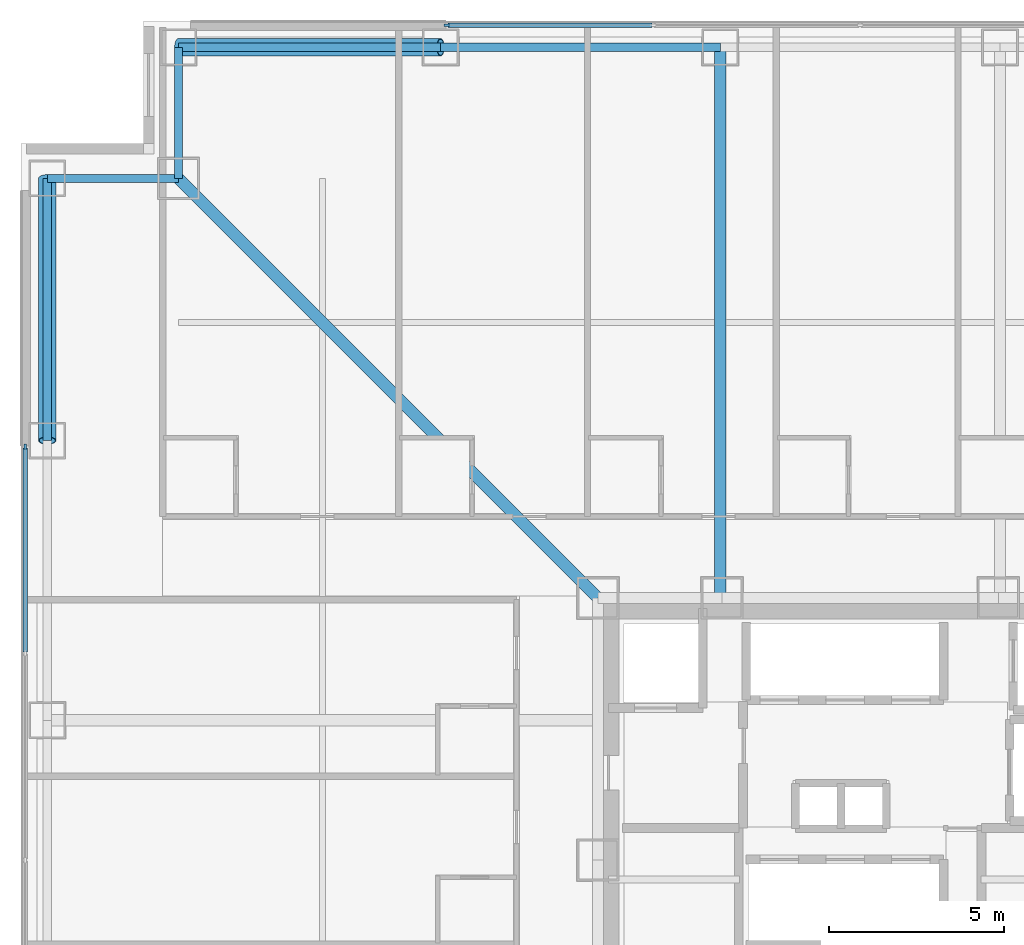
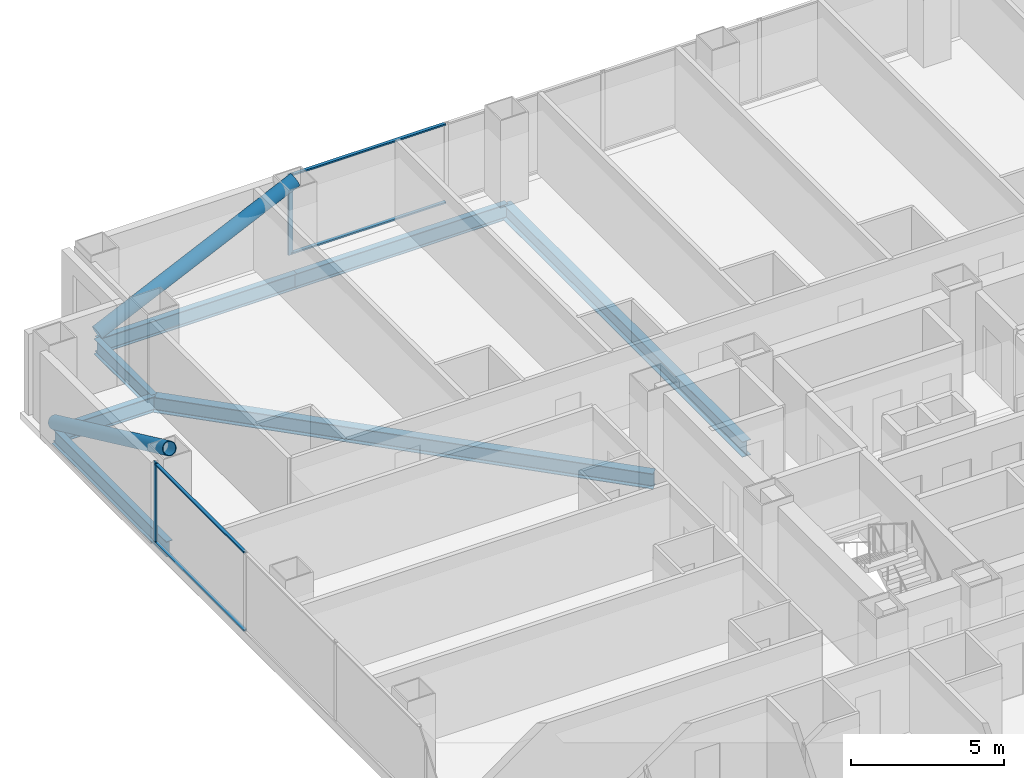
# One storey, part 12 of 23: 8 members, 7 beams, 2 elements without a shape of their own.
"""IFC4 building model written with IfcOpenShell, lengths in metres."""

from ifc_helpers import new_model, si_unit, direction, frame, origin, origin_2d, place, context, subcontext, project, spatial, rectangle, hollow_circle, i_section, extrude, material, layer, layer_set, material_profile, profile_set, type_object, element, aggregate, save


model = new_model("IFC4")

# Units and contexts
model_context = context("Model", 3, precision=1e-05, world=origin(), true_north=direction((0.0, 1.0)))
body_context = subcontext(model_context, "Body", "Model", "MODEL_VIEW")
ifc_project = project(units=[si_unit("LENGTHUNIT", "METRE"), si_unit("AREAUNIT", "SQUARE_METRE"), si_unit("VOLUMEUNIT", "CUBIC_METRE"), si_unit("PLANEANGLEUNIT", "RADIAN"), si_unit("MASSUNIT", "GRAM", prefix="KILO")], contexts=[model_context])

# Site, building, storey
site_placement = place(None, origin())
site = spatial("IfcSite", under=ifc_project, at=site_placement, CompositionType="ELEMENT")
building_placement = place(site_placement, origin())
building = spatial("IfcBuilding", under=site, at=building_placement, Name="Trevonay Congress Spire", CompositionType="ELEMENT")
storey_placement = place(building_placement, frame((0.0, 0.0, 34.0)))
storey = spatial("IfcBuildingStorey", under=building, at=storey_placement, Name="L07", CompositionType="ELEMENT", Elevation=34.0)

# Beams
ifc_material_1 = material(Name="Steel ASTM A572 Grade 50", Category="steel")
ifc_material_profile_1 = material_profile(ifc_material_1, i_section(OverallWidth=0.324951171875, OverallDepth=0.615966796875, WebThickness=0.013916015625, FlangeThickness=0.021484375, FilletRadius=0.01806640625, at=origin_2d()), Name="W610x174")
ifc_profile_set_1 = profile_set([ifc_material_profile_1], Name="Steel ASTM A572 Grade 50")
beam_type_1 = type_object("IfcBeamType", Name="BM-GIRD-W610X174", PredefinedType="BEAM", material=ifc_profile_set_1)
beam_1_placement = place(storey_placement, frame((-7.5, 7.5, -0.55810546875), z_axis=(-0.707106781187, 0.707106781187, 0.0), x_axis=(-0.707106781187, -0.707106781187, 0.0)))
element("IfcBeam", 1, at=beam_1_placement, inside=storey, type_object=beam_type_1, Name="L07 structural beam BM-L07-CDNW", PredefinedType="BEAM", context=body_context, shape_type="SweptSolid", body=[
    extrude(i_section(OverallWidth=0.324951171875, OverallDepth=0.615966796875, WebThickness=0.013916015625, FlangeThickness=0.021484375, FilletRadius=0.01806640625, at=origin_2d()), origin(), (0.0, 0.0, 1.0), 16.970458984375),
])
beam_2_placement = place(storey_placement, frame((-4.0, 7.5, -0.55810546875), z_axis=(0.0, 1.0, 0.0), x_axis=(-1.0, 0.0, 0.0)))
element("IfcBeam", 2, at=beam_2_placement, inside=storey, type_object=beam_type_1, Name="L07 structural beam BM-L07-GN-M", PredefinedType="BEAM", context=body_context, shape_type="SweptSolid", body=[
    extrude(i_section(OverallWidth=0.324951171875, OverallDepth=0.615966796875, WebThickness=0.013916015625, FlangeThickness=0.021484375, FilletRadius=0.01806640625, at=origin_2d()), origin(), (0.0, 0.0, 1.0), 15.75),
])
ifc_material_profile_2 = material_profile(ifc_material_1, i_section(OverallWidth=0.22998046875, OverallDepth=0.616943359375, WebThickness=0.01318359375, FlangeThickness=0.022216796875, FilletRadius=0.01611328125, at=origin_2d()), Name="W610x140")
ifc_profile_set_2 = profile_set([ifc_material_profile_2], Name="Steel ASTM A572 Grade 50")
beam_type_2 = type_object("IfcBeamType", Name="BM-RING-W610X140", PredefinedType="BEAM", material=ifc_profile_set_2)
beam_3_placement = place(storey_placement, frame((-19.5, 23.25, -0.55859375), z_axis=(1.0, 0.0, 0.0), x_axis=(0.0, 1.0, 0.0)))
element("IfcBeam", 3, at=beam_3_placement, inside=storey, type_object=beam_type_2, Name="L07 structural beam BM-L07-PN1", PredefinedType="BEAM", context=body_context, shape_type="SweptSolid", body=[
    extrude(i_section(OverallWidth=0.22998046875, OverallDepth=0.616943359375, WebThickness=0.01318359375, FlangeThickness=0.022216796875, FilletRadius=0.01611328125, at=origin_2d()), origin(), (0.0, 0.0, 1.0), 7.5),
])
beam_4_placement = place(storey_placement, frame((-12.0, 23.25, -0.55859375), z_axis=(1.0, 0.0, 0.0), x_axis=(0.0, 1.0, 0.0)))
element("IfcBeam", 4, at=beam_4_placement, inside=storey, type_object=beam_type_2, Name="L07 structural beam BM-L07-PN2", PredefinedType="BEAM", context=body_context, shape_type="SweptSolid", body=[
    extrude(i_section(OverallWidth=0.22998046875, OverallDepth=0.616943359375, WebThickness=0.01318359375, FlangeThickness=0.022216796875, FilletRadius=0.01611328125, at=origin_2d()), origin(), (0.0, 0.0, 1.0), 8.0),
])
beam_5_placement = place(storey_placement, frame((-23.25, 12.0, -0.55859375), z_axis=(0.0, 1.0, 0.0), x_axis=(-1.0, 0.0, 0.0)))
element("IfcBeam", 5, at=beam_5_placement, inside=storey, type_object=beam_type_2, Name="L07 structural beam BM-L07-PW5", PredefinedType="BEAM", context=body_context, shape_type="SweptSolid", body=[
    extrude(i_section(OverallWidth=0.22998046875, OverallDepth=0.616943359375, WebThickness=0.01318359375, FlangeThickness=0.022216796875, FilletRadius=0.01611328125, at=origin_2d()), origin(), (0.0, 0.0, 1.0), 7.5),
])
for number, where, z_axis, x_axis, name in (
    (6, (-19.5, 23.25, -0.55859375), (0.0, -1.0, 0.0), (1.0, 0.0, 0.0), "L07 structural beam BM-L07-N1NW"),
    (7, (-23.25, 19.5, -0.55859375), (1.0, 0.0, 0.0), (0.0, 1.0, 0.0), "L07 structural beam BM-L07-N2NW"),
):
    element("IfcBeam", number, at=place(storey_placement, frame(where, z_axis=z_axis, x_axis=x_axis)), inside=storey, type_object=beam_type_2, Name=name, PredefinedType="BEAM", context=body_context, shape_type="SweptSolid", body=[
        extrude(i_section(OverallWidth=0.22998046875, OverallDepth=0.616943359375, WebThickness=0.01318359375, FlangeThickness=0.022216796875, FilletRadius=0.01611328125, at=origin_2d()), origin(), (0.0, 0.0, 1.0), 3.75),
    ])

# Curtain wall, member
ifc_material_2 = material(Name="Pale Anodised Aluminium EN AW-6063-T6", Category="aluminium")
ifc_layer = layer(ifc_material_2, 0.179931640625, Name="Pale Anodised Aluminium EN AW-6063-T6")
ifc_layer_set = layer_set([ifc_layer], Name="Pale Anodised Aluminium EN AW-6063-T6")
curtain_wall_type = type_object("IfcCurtainWallType", Name="CW-SYS02-HOTEL-PALE-METAL", PredefinedType="NOTDEFINED", material=ifc_layer_set)
curtain_wall_1_placement = place(storey_placement, origin())
curtain_wall_1 = element("IfcCurtainWall", 8, at=curtain_wall_1_placement, inside=storey, type_object=curtain_wall_type, Name="L07 N unitised curtain wall", PredefinedType="NOTDEFINED")
ifc_material_profile_3 = material_profile(ifc_material_2, rectangle(XDim=0.06005859375, YDim=0.159912109375, at=origin_2d()), Name="CW-MULLION-160-ALUMINIUM")
ifc_profile_set_3 = profile_set([ifc_material_profile_3], Name="Pale Anodised Aluminium EN AW-6063-T6")
member_type_1 = type_object("IfcMemberType", Name="CW-MULLION-160-ALUMINIUM", PredefinedType="MULLION", material=ifc_profile_set_3)
member_1_placement = place(storey_placement, frame((-11.820068359375, 23.8798828125, 0.0), z_axis=(0.0, 0.0, 1.0), x_axis=(0.0, 1.0, 0.0)))
member_1 = element("IfcMember", 9, at=member_1_placement, type_object=member_type_1, Name="CW02 mullion 1", PredefinedType="MULLION", context=body_context, shape_type="SweptSolid", body=[
    extrude(rectangle(XDim=0.06005859375, YDim=0.159912109375, at=origin_2d()), origin(), (0.0, 0.0, 1.0), 3.25),
])

curtain_wall_2_placement = place(storey_placement, origin())
curtain_wall_2 = element("IfcCurtainWall", 10, at=curtain_wall_2_placement, inside=storey, type_object=curtain_wall_type, Name="L07 W unitised curtain wall", PredefinedType="NOTDEFINED")
member_2_placement = place(storey_placement, frame((-23.8798828125, 11.820068359375, 0.0), z_axis=(0.0, 0.0, 1.0), x_axis=(-1.0, 0.0, 0.0)))
member_2 = element("IfcMember", 11, at=member_2_placement, type_object=member_type_1, Name="CW02 mullion 5", PredefinedType="MULLION", context=body_context, shape_type="SweptSolid", body=[
    extrude(rectangle(XDim=0.06005859375, YDim=0.159912109375, at=origin_2d()), origin(), (0.0, 0.0, 1.0), 3.25),
])

# Member
ifc_material_profile_4 = material_profile(ifc_material_2, rectangle(XDim=0.1201171875, YDim=0.06005859375, at=origin_2d()), Name="CW-TRANSOM-120-ALUMINIUM")
ifc_profile_set_4 = profile_set([ifc_material_profile_4], Name="Pale Anodised Aluminium EN AW-6063-T6")
member_type_2 = type_object("IfcMemberType", Name="CW-TRANSOM-120-ALUMINIUM", PredefinedType="USERDEFINED", material=ifc_profile_set_4)
member_3_placement = place(storey_placement, frame((-11.7900390625, 23.8798828125, 0.06005859375), z_axis=(1.0, 0.0, 0.0), x_axis=(0.0, 1.0, 0.0)))
member_3 = element("IfcMember", 12, at=member_3_placement, type_object=member_type_2, Name="CW02 transom 1.1", ObjectType="TRANSOM", PredefinedType="USERDEFINED", context=body_context, shape_type="SweptSolid", body=[
    extrude(rectangle(XDim=0.1201171875, YDim=0.06005859375, at=origin_2d()), origin(), (0.0, 0.0, 1.0), 5.8349609375),
])

member_4_placement = place(storey_placement, frame((-11.7900390625, 23.8798828125, 3.18994140625), z_axis=(1.0, 0.0, 0.0), x_axis=(0.0, 1.0, 0.0)))
member_4 = element("IfcMember", 13, at=member_4_placement, type_object=member_type_2, Name="CW02 transom 1.2", ObjectType="TRANSOM", PredefinedType="USERDEFINED", context=body_context, shape_type="SweptSolid", body=[
    extrude(rectangle(XDim=0.1201171875, YDim=0.06005859375, at=origin_2d()), origin(), (0.0, 0.0, 1.0), 5.8349609375),
])

aggregate(curtain_wall_1, [member_1, member_3, member_4])

member_5_placement = place(storey_placement, frame((-23.8798828125, 5.955078125, 0.06005859375), z_axis=(0.0, 1.0, 0.0), x_axis=(-1.0, 0.0, 0.0)))
member_5 = element("IfcMember", 14, at=member_5_placement, type_object=member_type_2, Name="CW02 transom 4.1", ObjectType="TRANSOM", PredefinedType="USERDEFINED", context=body_context, shape_type="SweptSolid", body=[
    extrude(rectangle(XDim=0.1201171875, YDim=0.06005859375, at=origin_2d()), origin(), (0.0, 0.0, 1.0), 5.8349609375),
])

member_6_placement = place(storey_placement, frame((-23.8798828125, 5.955078125, 3.18994140625), z_axis=(0.0, 1.0, 0.0), x_axis=(-1.0, 0.0, 0.0)))
member_6 = element("IfcMember", 15, at=member_6_placement, type_object=member_type_2, Name="CW02 transom 4.2", ObjectType="TRANSOM", PredefinedType="USERDEFINED", context=body_context, shape_type="SweptSolid", body=[
    extrude(rectangle(XDim=0.1201171875, YDim=0.06005859375, at=origin_2d()), origin(), (0.0, 0.0, 1.0), 5.8349609375),
])

aggregate(curtain_wall_2, [member_2, member_5, member_6])

# Members
ifc_material_profile_5 = material_profile(ifc_material_1, hollow_circle(Radius=0.25390625, WallThickness=0.02490234375, at=origin_2d()), Name="CHS 508x25")
ifc_profile_set_5 = profile_set([ifc_material_profile_5], Name="Steel ASTM A572 Grade 50")
member_type_3 = type_object("IfcMemberType", Name="MBR-TUBE-CHS508", PredefinedType="BRACE", material=ifc_profile_set_5)
for number, where, z_axis, x_axis, name in (
    (16, (-19.5, 23.25, -0.050048828125), (0.906183139995, 0.0, 0.422885465331), (0.0, 1.0, 0.0), "L07 perimeter braced-tube diagonal N0"),
    (17, (-23.25, 19.5, -0.050048828125), (0.0, -0.906183139995, 0.422885465331), (1.0, 0.0, 0.0), "L07 perimeter braced-tube diagonal W4"),
):
    element("IfcMember", number, at=place(storey_placement, frame(where, z_axis=z_axis, x_axis=x_axis)), inside=storey, type_object=member_type_3, Name=name, PredefinedType="BRACE", context=body_context, shape_type="SweptSolid", body=[
        extrude(hollow_circle(Radius=0.25390625, WallThickness=0.02490234375, at=origin_2d()), origin(), (0.0, 0.0, 1.0), 8.2763671875),
    ])

save(model, "model.ifc")
